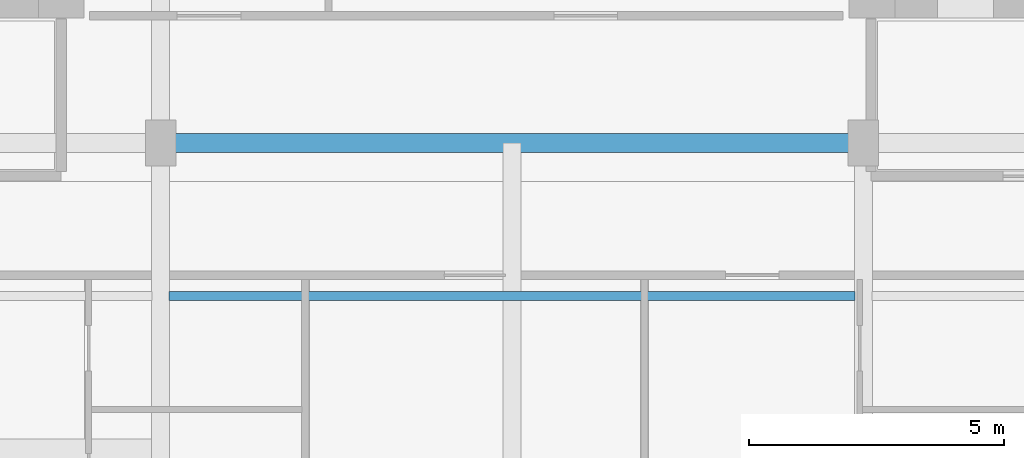
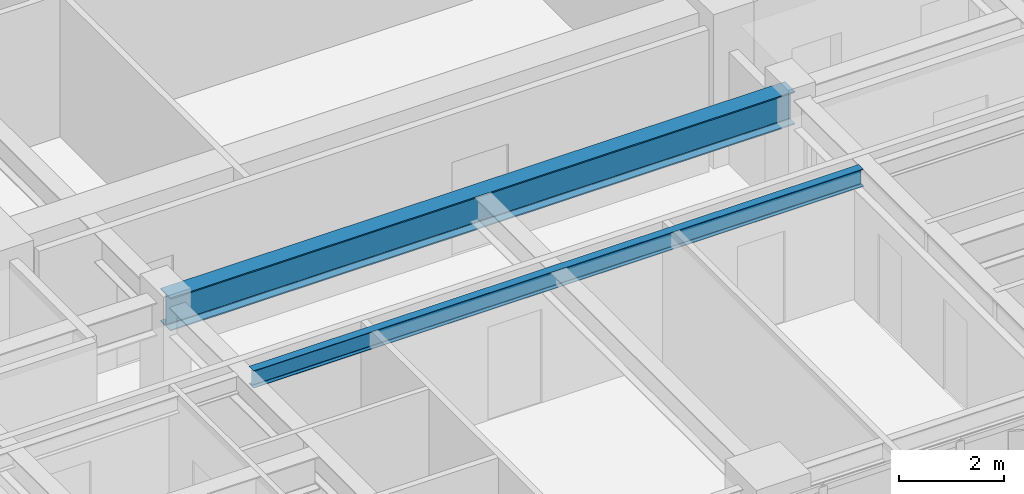
# One storey, part 4 of 23: 2 beams.
"""IFC4 building model written with IfcOpenShell, lengths in metres."""

from ifc_helpers import new_model, si_unit, direction, frame, origin, origin_2d, place, context, subcontext, project, spatial, i_section, extrude, source, transform, mapped, material, material_profile, profile_set, type_object, element, save


model = new_model("IFC4")

# Units and contexts
model_context = context("Model", 3, precision=1e-05, world=origin(), true_north=direction((0.0, 1.0)))
body_context = subcontext(model_context, "Body", "Model", "MODEL_VIEW")
ifc_project = project(units=[si_unit("LENGTHUNIT", "METRE"), si_unit("AREAUNIT", "SQUARE_METRE"), si_unit("VOLUMEUNIT", "CUBIC_METRE"), si_unit("PLANEANGLEUNIT", "RADIAN"), si_unit("MASSUNIT", "GRAM", prefix="KILO")], contexts=[model_context])

# Site, building, storey
site_placement = place(None, origin())
site = spatial("IfcSite", under=ifc_project, at=site_placement, CompositionType="ELEMENT")
building_placement = place(site_placement, origin())
building = spatial("IfcBuilding", under=site, at=building_placement, Name="Khoralis Quay Care Tower", CompositionType="ELEMENT")
storey_placement = place(building_placement, frame((0.0, 0.0, 33.300048828125)))
storey = spatial("IfcBuildingStorey", under=building, at=storey_placement, Name="L08", CompositionType="ELEMENT", Elevation=33.300048828125)

# Beams
ifc_material = material(Name="Steel S355", Category="steel")
ifc_material_profile_1 = material_profile(ifc_material, i_section(OverallWidth=0.381103515625, OverallDepth=0.77294921875, WebThickness=0.0166015625, FlangeThickness=0.027587890625, FilletRadius=0.02197265625, at=origin_2d()), Name="Steel S355")
ifc_profile_set_1 = profile_set([ifc_material_profile_1], Name="Steel S355")
beam_type_1 = type_object("IfcBeamType", Name="BM-W760X257", PredefinedType="BEAM", material=ifc_profile_set_1)
shared_shape_1 = source(origin(), body_context, "Body", "SweptSolid", [
    extrude(i_section(OverallWidth=0.381103515625, OverallDepth=0.77294921875, WebThickness=0.0166015625, FlangeThickness=0.027587890625, FilletRadius=0.02197265625, at=origin_2d()), origin(), (0.0, 0.0, 1.0), 13.7998046875),
])
beam_1_placement = place(storey_placement, frame((17.10009765625, 12.0, 2.933349609375), z_axis=(1.0, 0.0, 0.0), x_axis=(0.0, 1.0, 0.0)))
element("IfcBeam", 1, at=beam_1_placement, inside=storey, type_object=beam_type_1, Name="BM-TGCC-L08-120", PredefinedType="BEAM", context=body_context, shape_type="MappedRepresentation", body=[
    mapped(shared_shape_1, transform((0.0, 0.0, 0.0), scale=1.0)),
])
ifc_material_profile_2 = material_profile(ifc_material, i_section(OverallWidth=0.177978515625, OverallDepth=0.406982421875, WebThickness=0.0078125, FlangeThickness=0.0126953125, FilletRadius=0.012939453125, at=origin_2d()), Name="Steel S355")
ifc_profile_set_2 = profile_set([ifc_material_profile_2], Name="Steel S355")
beam_type_2 = type_object("IfcBeamType", Name="BM-W410X60", PredefinedType="JOIST", material=ifc_profile_set_2)
shared_shape_2 = source(origin(), body_context, "Body", "SweptSolid", [
    extrude(i_section(OverallWidth=0.177978515625, OverallDepth=0.406982421875, WebThickness=0.0078125, FlangeThickness=0.0126953125, FilletRadius=0.012939453125, at=origin_2d()), origin(), (0.0, 0.0, 1.0), 13.46923828125),
])
beam_2_placement = place(storey_placement, frame((17.265380859375, 9.0, 3.116455078125), z_axis=(1.0, 0.0, 0.0), x_axis=(0.0, 1.0, 0.0)))
element("IfcBeam", 2, at=beam_2_placement, inside=storey, type_object=beam_type_2, Name="BM-TJS-L08-31", PredefinedType="JOIST", context=body_context, shape_type="MappedRepresentation", body=[
    mapped(shared_shape_2, transform((0.0, 0.0, 0.0), scale=1.0)),
])

save(model, "model.ifc")
